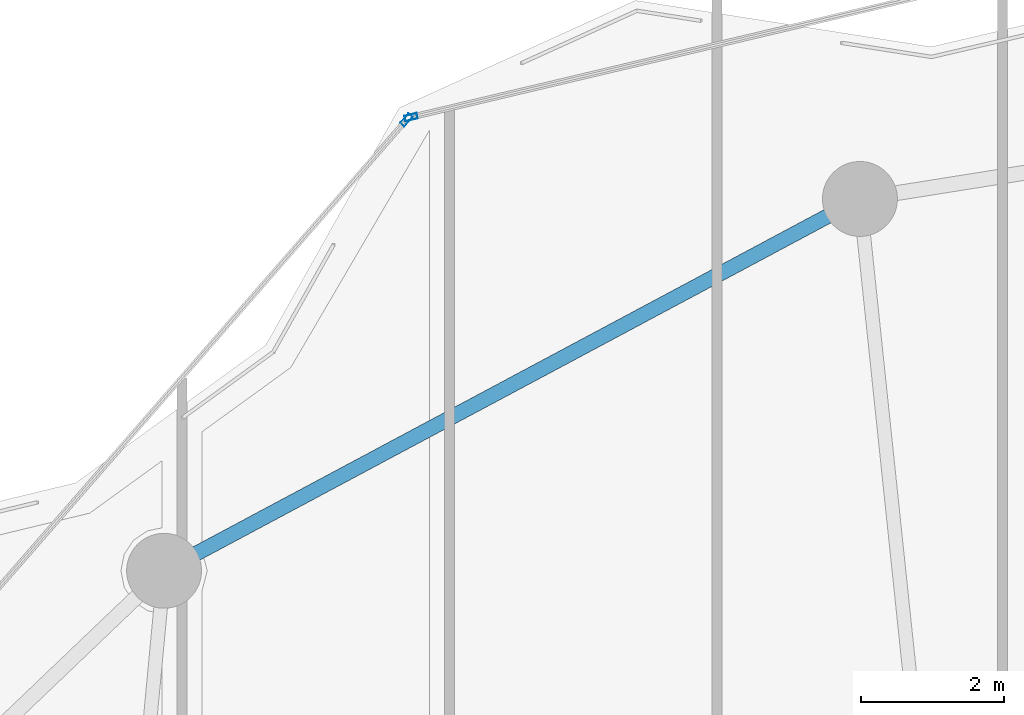
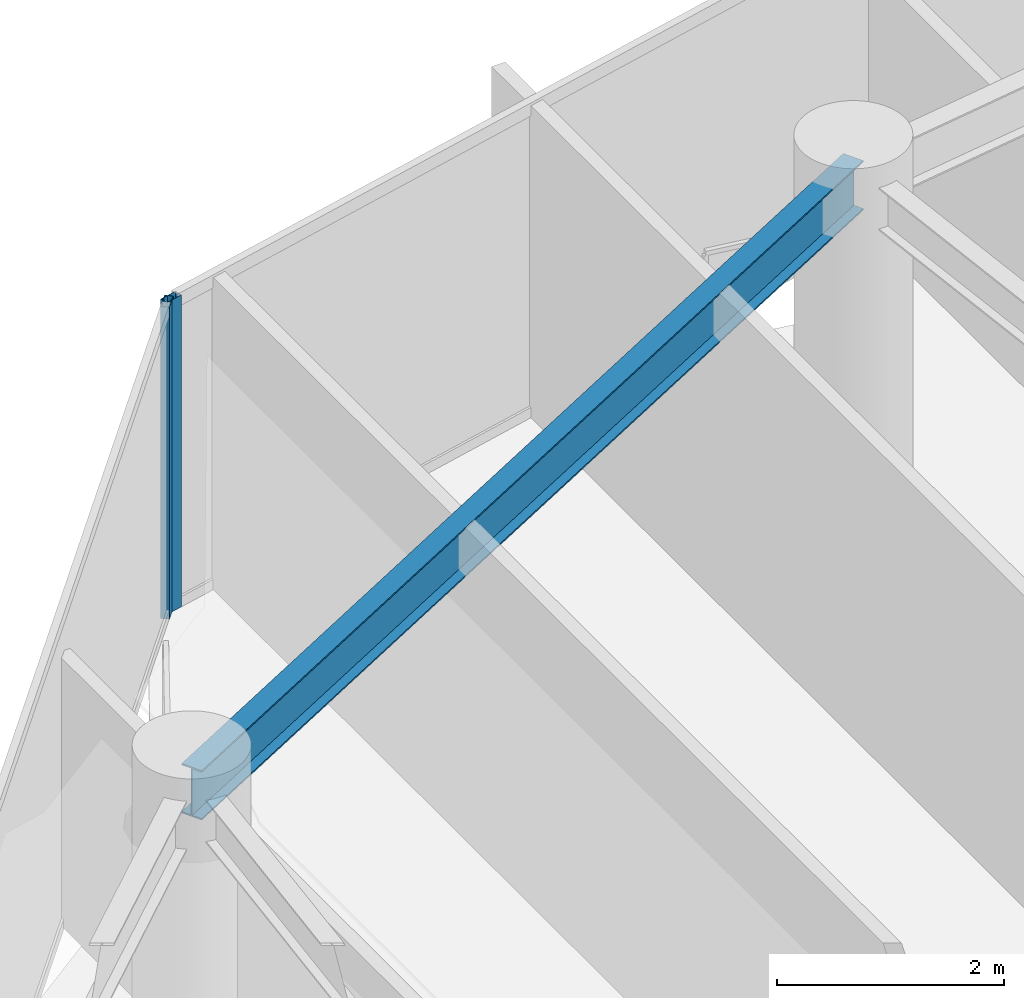
# One storey, part 17 of 29: 2 members, 1 beam, 2 elements without a shape of their own.
"""IFC4 building model written with IfcOpenShell, lengths in metres."""

from ifc_helpers import new_model, si_unit, direction, frame, origin, origin_2d, place, context, subcontext, project, spatial, hollow_rectangle, i_section, extrude, material, layer, layer_set, material_profile, profile_set, type_object, element, aggregate, save


model = new_model("IFC4")

# Units and contexts
model_context = context("Model", 3, precision=1e-05, world=origin(), true_north=direction((0.0, 1.0)))
body_context = subcontext(model_context, "Body", "Model", "MODEL_VIEW")
ifc_project = project(units=[si_unit("LENGTHUNIT", "METRE"), si_unit("AREAUNIT", "SQUARE_METRE"), si_unit("VOLUMEUNIT", "CUBIC_METRE"), si_unit("PLANEANGLEUNIT", "RADIAN"), si_unit("MASSUNIT", "GRAM", prefix="KILO")], contexts=[model_context])

# Site, building, storey
site_placement = place(None, origin())
site = spatial("IfcSite", under=ifc_project, at=site_placement, CompositionType="ELEMENT")
building_placement = place(site_placement, origin())
building = spatial("IfcBuilding", under=site, at=building_placement, Name="Kazevale Care Tower and Concert Hall", CompositionType="ELEMENT")
storey_placement = place(building_placement, frame((0.0, 0.0, 195.60009765625)))
storey = spatial("IfcBuildingStorey", under=building, at=storey_placement, Name="L51", CompositionType="ELEMENT", Elevation=195.60009765625)

# Curtain wall, member
ifc_material_1 = material(Name="Aluminium 6063-T6 and Low-E Glass", Category="aluminium")
ifc_layer_1 = layer(ifc_material_1, 0.179931640625)
ifc_layer_set_1 = layer_set([ifc_layer_1], Name="Aluminium 6063-T6 and Low-E Glass")
curtain_wall_type_1 = type_object("IfcCurtainWallType", Name="Convex Checkerboard Finned Curtain Wall CW-2", PredefinedType="NOTDEFINED", material=ifc_layer_set_1)
curtain_wall_1_placement = place(storey_placement, origin())
curtain_wall_1 = element("IfcCurtainWall", 1, at=curtain_wall_1_placement, inside=storey, type_object=curtain_wall_type_1, Name="cw:L51:f14", PredefinedType="NOTDEFINED")
ifc_material_2 = material(Name="Aluminium 6063-T6", Category="aluminium")
ifc_material_profile_1 = material_profile(ifc_material_2, hollow_rectangle(XDim=0.080078125, YDim=0.179931640625, WallThickness=0.0048828125, at=origin_2d()), Name="ALU80x180x5")
ifc_profile_set_1 = profile_set([ifc_material_profile_1], Name="Aluminium 6063-T6")
member_type_1 = type_object("IfcMemberType", Name="CW-2 Mullion ALU80x180x5", PredefinedType="MULLION", material=ifc_profile_set_1)
member_1_placement = place(storey_placement, frame((27.145751953125, 61.326904296875, 0.0), z_axis=(0.0, 0.0, 1.0), x_axis=(-0.753738225685, 0.657174776708, 0.0)))
member_1 = element("IfcMember", 2, at=member_1_placement, type_object=member_type_1, Name="CW-2 mullion 2", PredefinedType="MULLION", context=body_context, shape_type="SweptSolid", body=[
    extrude(hollow_rectangle(XDim=0.080078125, YDim=0.179931640625, WallThickness=0.0048828125, at=origin_2d()), origin(), (0.0, 0.0, 1.0), 3.35986328125),
])
aggregate(curtain_wall_1, [member_1])

ifc_layer_2 = layer(ifc_material_1, 0.179931640625)
ifc_layer_set_2 = layer_set([ifc_layer_2], Name="Aluminium 6063-T6 and Low-E Glass")
curtain_wall_type_2 = type_object("IfcCurtainWallType", Name="Waist & Upper Residential Curtain Wall CW-4", PredefinedType="NOTDEFINED", material=ifc_layer_set_2)
curtain_wall_2_placement = place(storey_placement, origin())
curtain_wall_2 = element("IfcCurtainWall", 3, at=curtain_wall_2_placement, inside=storey, type_object=curtain_wall_type_2, Name="cw:L51:f15", PredefinedType="NOTDEFINED")
ifc_material_profile_2 = material_profile(ifc_material_2, hollow_rectangle(XDim=0.080078125, YDim=0.179931640625, WallThickness=0.0048828125, at=origin_2d()), Name="ALU80x180x5")
ifc_profile_set_2 = profile_set([ifc_material_profile_2], Name="Aluminium 6063-T6")
member_type_2 = type_object("IfcMemberType", Name="CW-4 Mullion ALU80x180x5", PredefinedType="MULLION", material=ifc_profile_set_2)
member_2_placement = place(storey_placement, frame((27.2109375, 61.3662109375, 0.0), z_axis=(0.0, 0.0, 1.0), x_axis=(-0.230439111929, 0.973086746233, 0.0)))
member_2 = element("IfcMember", 4, at=member_2_placement, type_object=member_type_2, Name="CW-4 mullion 1", PredefinedType="MULLION", context=body_context, shape_type="SweptSolid", body=[
    extrude(hollow_rectangle(XDim=0.080078125, YDim=0.179931640625, WallThickness=0.0048828125, at=origin_2d()), origin(), (0.0, 0.0, 1.0), 3.35986328125),
])
aggregate(curtain_wall_2, [member_2])

# Beam
ifc_material_3 = material(Name="Steel ASTM A572 Gr 50", Category="steel")
ifc_material_profile_3 = material_profile(ifc_material_3, i_section(OverallWidth=0.208984375, OverallDepth=0.532958984375, WebThickness=0.01025390625, FlangeThickness=0.015625, at=origin_2d()), Name="W530x92")
ifc_profile_set_3 = profile_set([ifc_material_profile_3], Name="Steel ASTM A572 Gr 50")
beam_type = type_object("IfcBeamType", Name="Upper Ring Beam W530x92", PredefinedType="BEAM", material=ifc_profile_set_3)
beam_placement = place(storey_placement, frame((33.5, 60.219970703125, 3.093505859375), z_axis=(-0.881978519833, -0.471289603697, 0.0), x_axis=(0.471289603697, -0.881978519833, 0.0)))
element("IfcBeam", 5, at=beam_placement, inside=storey, type_object=beam_type, Name="beam:L51:ring:06", PredefinedType="BEAM", context=body_context, shape_type="SweptSolid", body=[
    extrude(i_section(OverallWidth=0.208984375, OverallDepth=0.532958984375, WebThickness=0.01025390625, FlangeThickness=0.015625, at=origin_2d()), origin(), (0.0, 0.0, 1.0), 11.0546875),
])

save(model, "model.ifc")
